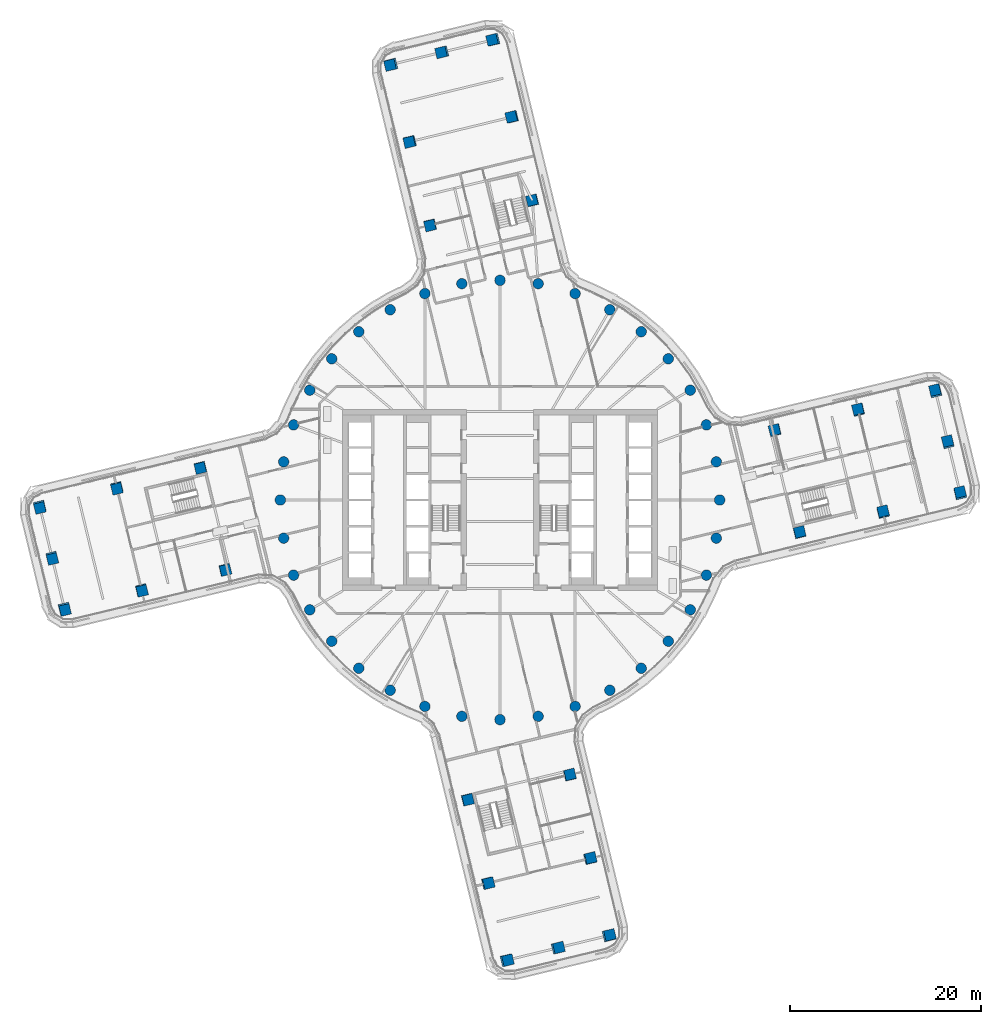
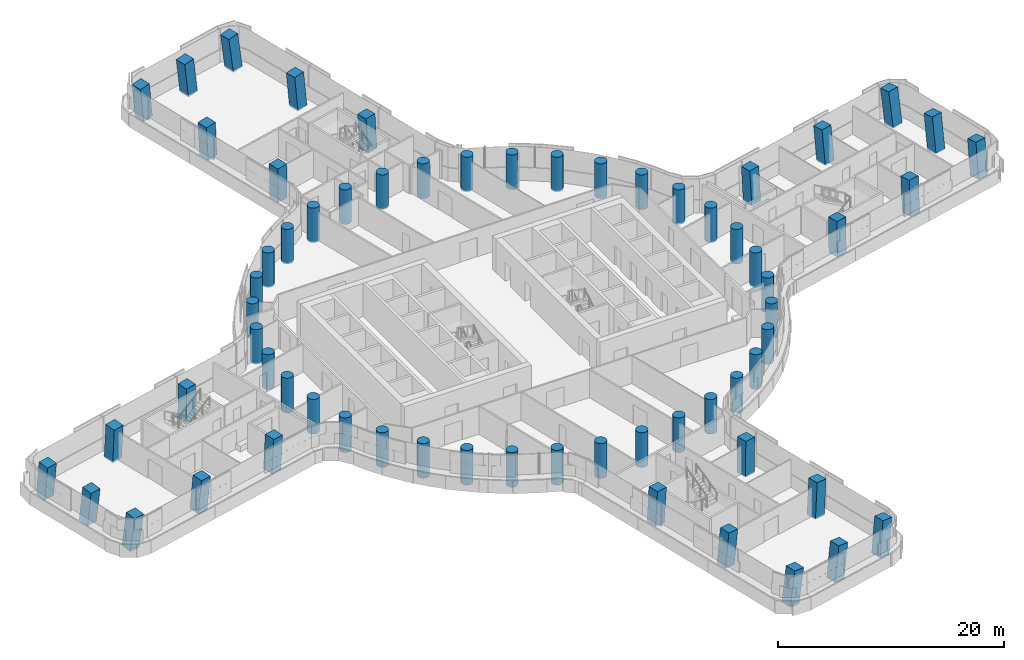
# One storey, part 1 of 33: 64 columns.
"""IFC4 building model written with IfcOpenShell, lengths in metres."""

from ifc_helpers import new_model, si_unit, direction, frame, origin, origin_2d, place, context, subcontext, project, spatial, rectangle, circle, extrude, material, material_profile, profile_set, type_object, element, save


model = new_model("IFC4")

# Units and contexts
model_context = context("Model", 3, precision=1e-05, world=origin(), true_north=direction((0.0, 1.0)))
body_context = subcontext(model_context, "Body", "Model", "MODEL_VIEW")
ifc_project = project(units=[si_unit("LENGTHUNIT", "METRE"), si_unit("AREAUNIT", "SQUARE_METRE"), si_unit("VOLUMEUNIT", "CUBIC_METRE"), si_unit("PLANEANGLEUNIT", "RADIAN"), si_unit("MASSUNIT", "GRAM", prefix="KILO")], contexts=[model_context])

# Site, building, storey
site_placement = place(None, origin())
site = spatial("IfcSite", under=ifc_project, at=site_placement, CompositionType="ELEMENT")
building_placement = place(site_placement, origin())
building = spatial("IfcBuilding", under=site, at=building_placement, Name="Tamarind Cross Interchange Tower", CompositionType="ELEMENT")
storey_placement = place(building_placement, frame((0.0, 0.0, 83.5)))
storey = spatial("IfcBuildingStorey", under=building, at=storey_placement, Name="L19", CompositionType="ELEMENT", Elevation=83.5)

# Columns
ifc_material = material(Name="Concrete C65", Category="concrete")
ifc_material_profile_1 = material_profile(ifc_material, rectangle(XDim=1.10009765625, YDim=1.10009765625, at=origin_2d()), Name="RC 1100x1100")
ifc_profile_set_1 = profile_set([ifc_material_profile_1], Name="Concrete C65")
column_type_1 = type_object("IfcColumnType", Name="Column RC 1100x1100 Concrete C65", PredefinedType="COLUMN", material=ifc_profile_set_1)
column_1_placement = place(storey_placement, frame((37.524169921875, 9.409423828125, -0.133056640625), z_axis=(-0.046279904241, 0.074814845199, 0.996122938899), x_axis=(0.232894847809, -0.968902769449, 0.083590748403)))
element("IfcColumn", 1, at=column_1_placement, inside=storey, type_object=column_type_1, Name="Column L19-036", PredefinedType="COLUMN", context=body_context, shape_type="SweptSolid", body=[
    extrude(rectangle(XDim=1.10009765625, YDim=1.10009765625, at=origin_2d()), origin(), (0.0, 0.0, 1.0), 3.756103515625),
])
column_2_placement = place(storey_placement, frame((40.10791015625, -1.28271484375, -0.133544921875), z_axis=(0.00539431714, 0.087738893242, 0.996128901275), x_axis=(-0.971908115646, -0.233934727067, 0.025868092591)))
element("IfcColumn", 2, at=column_2_placement, inside=storey, type_object=column_type_1, Name="Column L19-037", PredefinedType="COLUMN", context=body_context, shape_type="SweptSolid", body=[
    extrude(rectangle(XDim=1.10009765625, YDim=1.10009765625, at=origin_2d()), origin(), (0.0, 0.0, 1.0), 3.756591796875),
])
for number, where, z_axis, x_axis, name in (
    (3, (28.776123046875, 7.295654296875, -0.135498046875), (-0.035756232025, 0.03256487434, 0.998829825761), (0.234790673308, -0.971219724637, 0.04006976669), "Column L19-038"),
    (4, (31.359619140625, -3.396728515625, -0.135498046875), (0.016087061299, 0.045590861981, 0.998830656199), (-0.971862535063, -0.234071760259, 0.026336742198), "Column L19-039"),
):
    element("IfcColumn", number, at=place(storey_placement, frame(where, z_axis=z_axis, x_axis=x_axis)), inside=storey, type_object=column_type_1, Name=name, PredefinedType="COLUMN", context=body_context, shape_type="SweptSolid", body=[
        extrude(rectangle(XDim=1.10009765625, YDim=1.10009765625, at=origin_2d()), origin(), (0.0, 0.0, 1.0), 3.74853515625),
    ])
column_3_placement = place(storey_placement, frame((48.187744140625, 0.669677734375, -0.131591796875), z_axis=(-0.004791611858, 0.126200696096, 0.991993157618), x_axis=(-0.972041114407, -0.233475277959, 0.025007328608)))
element("IfcColumn", 5, at=column_3_placement, inside=storey, type_object=column_type_1, Name="Column L19-040", PredefinedType="COLUMN", context=body_context, shape_type="SweptSolid", body=[
    extrude(rectangle(XDim=1.10009765625, YDim=1.10009765625, at=origin_2d()), origin(), (0.0, 0.0, 1.0), 3.7705078125),
])
column_4_placement = place(storey_placement, frame((46.89599609375, 6.015869140625, -0.132080078125), z_axis=(-0.030504495113, 0.119751192069, 0.992335189226), x_axis=(0.232977493747, -0.964599886856, 0.123565956817)))
element("IfcColumn", 6, at=column_4_placement, inside=storey, type_object=column_type_1, Name="Column L19-041", PredefinedType="COLUMN", context=body_context, shape_type="SweptSolid", body=[
    extrude(rectangle(XDim=1.10009765625, YDim=1.10009765625, at=origin_2d()), origin(), (0.0, 0.0, 1.0), 3.76953125),
])
column_5_placement = place(storey_placement, frame((45.60400390625, 11.362060546875, -0.130859375), z_axis=(-0.056214160508, 0.113270238166, 0.991972691814), x_axis=(0.231247456727, -0.965050037822, 0.123300601201)))
element("IfcColumn", 7, at=column_5_placement, inside=storey, type_object=column_type_1, Name="Column L19-042", PredefinedType="COLUMN", context=body_context, shape_type="SweptSolid", body=[
    extrude(rectangle(XDim=1.10009765625, YDim=1.10009765625, at=origin_2d()), origin(), (0.0, 0.0, 1.0), 3.769775390625),
])
column_6_placement = place(storey_placement, frame((-9.409423828125, 37.524169921875, -0.133056640625), z_axis=(-0.074814845199, -0.046279904241, 0.996122938899), x_axis=(0.968902769449, 0.232894847809, 0.083590748403)))
element("IfcColumn", 8, at=column_6_placement, inside=storey, type_object=column_type_1, Name="Column L19-043", PredefinedType="COLUMN", context=body_context, shape_type="SweptSolid", body=[
    extrude(rectangle(XDim=1.10009765625, YDim=1.10009765625, at=origin_2d()), origin(), (0.0, 0.0, 1.0), 3.756103515625),
])
column_7_placement = place(storey_placement, frame((1.28271484375, 40.10791015625, -0.133544921875), z_axis=(-0.087738893242, 0.00539431714, 0.996128901275), x_axis=(0.233934727067, -0.971908115646, 0.025868092591)))
element("IfcColumn", 9, at=column_7_placement, inside=storey, type_object=column_type_1, Name="Column L19-044", PredefinedType="COLUMN", context=body_context, shape_type="SweptSolid", body=[
    extrude(rectangle(XDim=1.10009765625, YDim=1.10009765625, at=origin_2d()), origin(), (0.0, 0.0, 1.0), 3.756591796875),
])
for number, where, z_axis, x_axis, name in (
    (10, (-7.295654296875, 28.776123046875, -0.135498046875), (-0.03256487434, -0.035756232025, 0.998829825761), (0.971219724637, 0.234790673308, 0.04006976669), "Column L19-045"),
    (11, (3.396728515625, 31.359619140625, -0.135498046875), (-0.045590861981, 0.016087061299, 0.998830656199), (0.234071760259, -0.971862535063, 0.026336742198), "Column L19-046"),
):
    element("IfcColumn", number, at=place(storey_placement, frame(where, z_axis=z_axis, x_axis=x_axis)), inside=storey, type_object=column_type_1, Name=name, PredefinedType="COLUMN", context=body_context, shape_type="SweptSolid", body=[
        extrude(rectangle(XDim=1.10009765625, YDim=1.10009765625, at=origin_2d()), origin(), (0.0, 0.0, 1.0), 3.74853515625),
    ])
column_8_placement = place(storey_placement, frame((-0.669677734375, 48.187744140625, -0.131591796875), z_axis=(-0.126200696096, -0.004791611858, 0.991993157618), x_axis=(0.233475277959, -0.972041114407, 0.025007328608)))
element("IfcColumn", 12, at=column_8_placement, inside=storey, type_object=column_type_1, Name="Column L19-047", PredefinedType="COLUMN", context=body_context, shape_type="SweptSolid", body=[
    extrude(rectangle(XDim=1.10009765625, YDim=1.10009765625, at=origin_2d()), origin(), (0.0, 0.0, 1.0), 3.7705078125),
])
column_9_placement = place(storey_placement, frame((-6.015869140625, 46.89599609375, -0.132080078125), z_axis=(-0.119751192069, -0.030504495113, 0.992335189226), x_axis=(0.964599886856, 0.232977493747, 0.123565956817)))
element("IfcColumn", 13, at=column_9_placement, inside=storey, type_object=column_type_1, Name="Column L19-048", PredefinedType="COLUMN", context=body_context, shape_type="SweptSolid", body=[
    extrude(rectangle(XDim=1.10009765625, YDim=1.10009765625, at=origin_2d()), origin(), (0.0, 0.0, 1.0), 3.76953125),
])
column_10_placement = place(storey_placement, frame((-11.362060546875, 45.60400390625, -0.130859375), z_axis=(-0.113270238166, -0.056214160508, 0.991972691814), x_axis=(0.965050037822, 0.231247456727, 0.123300601201)))
element("IfcColumn", 14, at=column_10_placement, inside=storey, type_object=column_type_1, Name="Column L19-049", PredefinedType="COLUMN", context=body_context, shape_type="SweptSolid", body=[
    extrude(rectangle(XDim=1.10009765625, YDim=1.10009765625, at=origin_2d()), origin(), (0.0, 0.0, 1.0), 3.769775390625),
])
column_11_placement = place(storey_placement, frame((-37.524169921875, -9.409423828125, -0.133056640625), z_axis=(0.046279904241, -0.074814845199, 0.996122938899), x_axis=(-0.232894847809, 0.968902769449, 0.083590748403)))
element("IfcColumn", 15, at=column_11_placement, inside=storey, type_object=column_type_1, Name="Column L19-050", PredefinedType="COLUMN", context=body_context, shape_type="SweptSolid", body=[
    extrude(rectangle(XDim=1.10009765625, YDim=1.10009765625, at=origin_2d()), origin(), (0.0, 0.0, 1.0), 3.756103515625),
])
column_12_placement = place(storey_placement, frame((-40.10791015625, 1.28271484375, -0.133544921875), z_axis=(-0.00539431714, -0.087738893242, 0.996128901275), x_axis=(0.971908115646, 0.233934727067, 0.025868092591)))
element("IfcColumn", 16, at=column_12_placement, inside=storey, type_object=column_type_1, Name="Column L19-051", PredefinedType="COLUMN", context=body_context, shape_type="SweptSolid", body=[
    extrude(rectangle(XDim=1.10009765625, YDim=1.10009765625, at=origin_2d()), origin(), (0.0, 0.0, 1.0), 3.756591796875),
])
for number, where, z_axis, x_axis, name in (
    (17, (-28.776123046875, -7.295654296875, -0.135498046875), (0.035756232025, -0.03256487434, 0.998829825761), (-0.234790673308, 0.971219724637, 0.04006976669), "Column L19-052"),
    (18, (-31.359619140625, 3.396728515625, -0.135498046875), (-0.016087061299, -0.045590861981, 0.998830656199), (0.971862535063, 0.234071760259, 0.026336742198), "Column L19-053"),
):
    element("IfcColumn", number, at=place(storey_placement, frame(where, z_axis=z_axis, x_axis=x_axis)), inside=storey, type_object=column_type_1, Name=name, PredefinedType="COLUMN", context=body_context, shape_type="SweptSolid", body=[
        extrude(rectangle(XDim=1.10009765625, YDim=1.10009765625, at=origin_2d()), origin(), (0.0, 0.0, 1.0), 3.74853515625),
    ])
column_13_placement = place(storey_placement, frame((-48.187744140625, -0.669677734375, -0.131591796875), z_axis=(0.004791611858, -0.126200696096, 0.991993157618), x_axis=(0.972041114407, 0.233475277959, 0.025007328608)))
element("IfcColumn", 19, at=column_13_placement, inside=storey, type_object=column_type_1, Name="Column L19-054", PredefinedType="COLUMN", context=body_context, shape_type="SweptSolid", body=[
    extrude(rectangle(XDim=1.10009765625, YDim=1.10009765625, at=origin_2d()), origin(), (0.0, 0.0, 1.0), 3.7705078125),
])
column_14_placement = place(storey_placement, frame((-46.89599609375, -6.015869140625, -0.132080078125), z_axis=(0.030504495113, -0.119751192069, 0.992335189226), x_axis=(-0.232977493747, 0.964599886856, 0.123565956817)))
element("IfcColumn", 20, at=column_14_placement, inside=storey, type_object=column_type_1, Name="Column L19-055", PredefinedType="COLUMN", context=body_context, shape_type="SweptSolid", body=[
    extrude(rectangle(XDim=1.10009765625, YDim=1.10009765625, at=origin_2d()), origin(), (0.0, 0.0, 1.0), 3.76953125),
])
column_15_placement = place(storey_placement, frame((-45.60400390625, -11.362060546875, -0.130859375), z_axis=(0.056214160508, -0.113270238166, 0.991972691814), x_axis=(-0.231247456727, 0.965050037822, 0.123300601201)))
element("IfcColumn", 21, at=column_15_placement, inside=storey, type_object=column_type_1, Name="Column L19-056", PredefinedType="COLUMN", context=body_context, shape_type="SweptSolid", body=[
    extrude(rectangle(XDim=1.10009765625, YDim=1.10009765625, at=origin_2d()), origin(), (0.0, 0.0, 1.0), 3.769775390625),
])
column_16_placement = place(storey_placement, frame((9.409423828125, -37.524169921875, -0.133056640625), z_axis=(0.074814845199, 0.046279904241, 0.996122938899), x_axis=(-0.968902769449, -0.232894847809, 0.083590748403)))
element("IfcColumn", 22, at=column_16_placement, inside=storey, type_object=column_type_1, Name="Column L19-057", PredefinedType="COLUMN", context=body_context, shape_type="SweptSolid", body=[
    extrude(rectangle(XDim=1.10009765625, YDim=1.10009765625, at=origin_2d()), origin(), (0.0, 0.0, 1.0), 3.756103515625),
])
column_17_placement = place(storey_placement, frame((-1.28271484375, -40.10791015625, -0.133544921875), z_axis=(0.087738893242, -0.00539431714, 0.996128901275), x_axis=(-0.233934727067, 0.971908115646, 0.025868092591)))
element("IfcColumn", 23, at=column_17_placement, inside=storey, type_object=column_type_1, Name="Column L19-058", PredefinedType="COLUMN", context=body_context, shape_type="SweptSolid", body=[
    extrude(rectangle(XDim=1.10009765625, YDim=1.10009765625, at=origin_2d()), origin(), (0.0, 0.0, 1.0), 3.756591796875),
])
for number, where, z_axis, x_axis, name in (
    (24, (7.295654296875, -28.776123046875, -0.135498046875), (0.03256487434, 0.035756232025, 0.998829825761), (-0.971219724637, -0.234790673308, 0.04006976669), "Column L19-059"),
    (25, (-3.396728515625, -31.359619140625, -0.135498046875), (0.045590861981, -0.016087061299, 0.998830656199), (-0.234071760259, 0.971862535063, 0.026336742198), "Column L19-060"),
):
    element("IfcColumn", number, at=place(storey_placement, frame(where, z_axis=z_axis, x_axis=x_axis)), inside=storey, type_object=column_type_1, Name=name, PredefinedType="COLUMN", context=body_context, shape_type="SweptSolid", body=[
        extrude(rectangle(XDim=1.10009765625, YDim=1.10009765625, at=origin_2d()), origin(), (0.0, 0.0, 1.0), 3.74853515625),
    ])
column_18_placement = place(storey_placement, frame((0.669677734375, -48.187744140625, -0.131591796875), z_axis=(0.126200696096, 0.004791611858, 0.991993157618), x_axis=(-0.233475277959, 0.972041114407, 0.025007328608)))
element("IfcColumn", 26, at=column_18_placement, inside=storey, type_object=column_type_1, Name="Column L19-061", PredefinedType="COLUMN", context=body_context, shape_type="SweptSolid", body=[
    extrude(rectangle(XDim=1.10009765625, YDim=1.10009765625, at=origin_2d()), origin(), (0.0, 0.0, 1.0), 3.7705078125),
])
column_19_placement = place(storey_placement, frame((6.015869140625, -46.89599609375, -0.132080078125), z_axis=(0.119751192069, 0.030504495113, 0.992335189226), x_axis=(-0.964599886856, -0.232977493747, 0.123565956817)))
element("IfcColumn", 27, at=column_19_placement, inside=storey, type_object=column_type_1, Name="Column L19-062", PredefinedType="COLUMN", context=body_context, shape_type="SweptSolid", body=[
    extrude(rectangle(XDim=1.10009765625, YDim=1.10009765625, at=origin_2d()), origin(), (0.0, 0.0, 1.0), 3.76953125),
])
column_20_placement = place(storey_placement, frame((11.362060546875, -45.60400390625, -0.130859375), z_axis=(0.113270238166, 0.056214160508, 0.991972691814), x_axis=(-0.965050037822, -0.231247456727, 0.123300601201)))
element("IfcColumn", 28, at=column_20_placement, inside=storey, type_object=column_type_1, Name="Column L19-063", PredefinedType="COLUMN", context=body_context, shape_type="SweptSolid", body=[
    extrude(rectangle(XDim=1.10009765625, YDim=1.10009765625, at=origin_2d()), origin(), (0.0, 0.0, 1.0), 3.769775390625),
])
ifc_material_profile_2 = material_profile(ifc_material, circle(Radius=0.550048828125, at=origin_2d()), Name="RC D1100")
ifc_profile_set_2 = profile_set([ifc_material_profile_2], Name="Concrete C65")
column_type_2 = type_object("IfcColumnType", Name="Column RC D1100 Concrete C65", PredefinedType="COLUMN", material=ifc_profile_set_2)
for number, where, z_axis, x_axis, name in (
    (29, (23.0, 0.0, -0.139892578125), (0.0, 0.0, 1.0), (1.0, 0.0, 0.0), "Column L19-000"),
    (30, (22.650634765625, 3.993896484375, -0.139892578125), (0.0, 0.0, 1.0), (1.0, 0.0, 0.0), "Column L19-001"),
    (31, (21.613037109375, 7.866455078125, -0.139892578125), (0.0, 0.0, 1.0), (1.0, 0.0, 0.0), "Column L19-002"),
    (32, (19.918701171875, 11.5, -0.139892578125), (0.0, 0.0, 1.0), (1.0, 0.0, 0.0), "Column L19-003"),
    (33, (17.619140625, 14.7841796875, -0.139892578125), (0.0, 0.0, 1.0), (1.0, 0.0, 0.0), "Column L19-004"),
    (34, (14.7841796875, 17.619140625, -0.139892578125), (0.0, 0.0, 1.0), (1.0, 0.0, 0.0), "Column L19-005"),
    (35, (11.5, 19.918701171875, -0.139892578125), (0.0, 0.0, 1.0), (1.0, 0.0, 0.0), "Column L19-006"),
    (36, (7.866455078125, 21.613037109375, -0.139892578125), (0.0, 0.0, 1.0), (1.0, 0.0, 0.0), "Column L19-007"),
    (37, (3.993896484375, 22.650634765625, -0.139892578125), (0.0, 0.0, 1.0), (1.0, 0.0, 0.0), "Column L19-008"),
    (38, (0.0, 23.0, -0.139892578125), (0.0, 0.0, 1.0), (1.0, 0.0, 0.0), "Column L19-009"),
    (39, (-3.993896484375, 22.650634765625, -0.139892578125), (0.0, 0.0, 1.0), (1.0, 0.0, 0.0), "Column L19-010"),
    (40, (-7.866455078125, 21.613037109375, -0.139892578125), (0.0, 0.0, 1.0), (1.0, 0.0, 0.0), "Column L19-011"),
    (41, (-11.5, 19.918701171875, -0.139892578125), (0.0, 0.0, 1.0), (1.0, 0.0, 0.0), "Column L19-012"),
    (42, (-14.7841796875, 17.619140625, -0.139892578125), (0.0, 0.0, 1.0), (1.0, 0.0, 0.0), "Column L19-013"),
    (43, (-17.619140625, 14.7841796875, -0.139892578125), (0.0, 0.0, 1.0), (1.0, 0.0, 0.0), "Column L19-014"),
    (44, (-19.918701171875, 11.5, -0.139892578125), (0.0, 0.0, 1.0), (1.0, 0.0, 0.0), "Column L19-015"),
    (45, (-21.613037109375, 7.866455078125, -0.139892578125), (0.0, 0.0, 1.0), (1.0, 0.0, 0.0), "Column L19-016"),
    (46, (-22.650634765625, 3.993896484375, -0.139892578125), (0.0, 0.0, 1.0), (1.0, 0.0, 0.0), "Column L19-017"),
    (47, (-23.0, 0.0, -0.139892578125), (0.0, 0.0, 1.0), (1.0, 0.0, 0.0), "Column L19-018"),
    (48, (-22.650634765625, -3.993896484375, -0.139892578125), (0.0, 0.0, 1.0), (1.0, 0.0, 0.0), "Column L19-019"),
    (49, (-21.613037109375, -7.866455078125, -0.139892578125), (0.0, 0.0, 1.0), (1.0, 0.0, 0.0), "Column L19-020"),
    (50, (-19.918701171875, -11.5, -0.139892578125), (0.0, 0.0, 1.0), (1.0, 0.0, 0.0), "Column L19-021"),
    (51, (-17.619140625, -14.7841796875, -0.139892578125), (0.0, 0.0, 1.0), (1.0, 0.0, 0.0), "Column L19-022"),
    (52, (-14.7841796875, -17.619140625, -0.139892578125), (0.0, 0.0, 1.0), (1.0, 0.0, 0.0), "Column L19-023"),
    (53, (-11.5, -19.918701171875, -0.139892578125), (0.0, 0.0, 1.0), (1.0, 0.0, 0.0), "Column L19-024"),
    (54, (-7.866455078125, -21.613037109375, -0.139892578125), (0.0, 0.0, 1.0), (1.0, 0.0, 0.0), "Column L19-025"),
    (55, (-3.993896484375, -22.650634765625, -0.139892578125), (0.0, 0.0, 1.0), (1.0, 0.0, 0.0), "Column L19-026"),
    (56, (0.0, -23.0, -0.139892578125), (0.0, 0.0, 1.0), (1.0, 0.0, 0.0), "Column L19-027"),
    (57, (3.993896484375, -22.650634765625, -0.139892578125), (0.0, 0.0, 1.0), (1.0, 0.0, 0.0), "Column L19-028"),
    (58, (7.866455078125, -21.613037109375, -0.139892578125), (0.0, 0.0, 1.0), (1.0, 0.0, 0.0), "Column L19-029"),
    (59, (11.5, -19.918701171875, -0.139892578125), (0.0, 0.0, 1.0), (1.0, 0.0, 0.0), "Column L19-030"),
    (60, (14.7841796875, -17.619140625, -0.139892578125), (0.0, 0.0, 1.0), (1.0, 0.0, 0.0), "Column L19-031"),
    (61, (17.619140625, -14.7841796875, -0.139892578125), (0.0, 0.0, 1.0), (1.0, 0.0, 0.0), "Column L19-032"),
    (62, (19.918701171875, -11.5, -0.139892578125), (0.0, 0.0, 1.0), (1.0, 0.0, 0.0), "Column L19-033"),
    (63, (21.613037109375, -7.866455078125, -0.139892578125), (0.0, 0.0, 1.0), (1.0, 0.0, 0.0), "Column L19-034"),
    (64, (22.650634765625, -3.993896484375, -0.139892578125), (0.0, 0.0, 1.0), (1.0, 0.0, 0.0), "Column L19-035"),
):
    element("IfcColumn", number, at=place(storey_placement, frame(where, z_axis=z_axis, x_axis=x_axis)), inside=storey, type_object=column_type_2, Name=name, PredefinedType="COLUMN", context=body_context, shape_type="SweptSolid", body=[
        extrude(circle(Radius=0.550048828125, at=origin_2d()), origin(), (0.0, 0.0, 1.0), 3.75),
    ])

save(model, "model.ifc")
